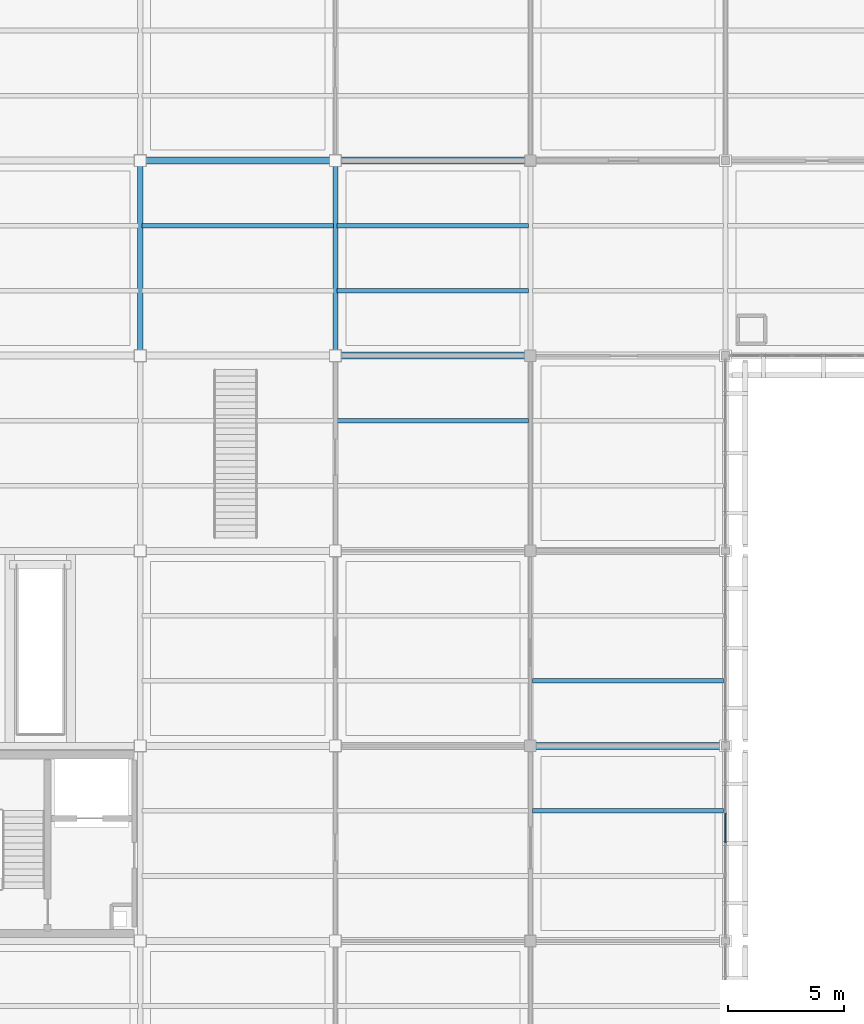
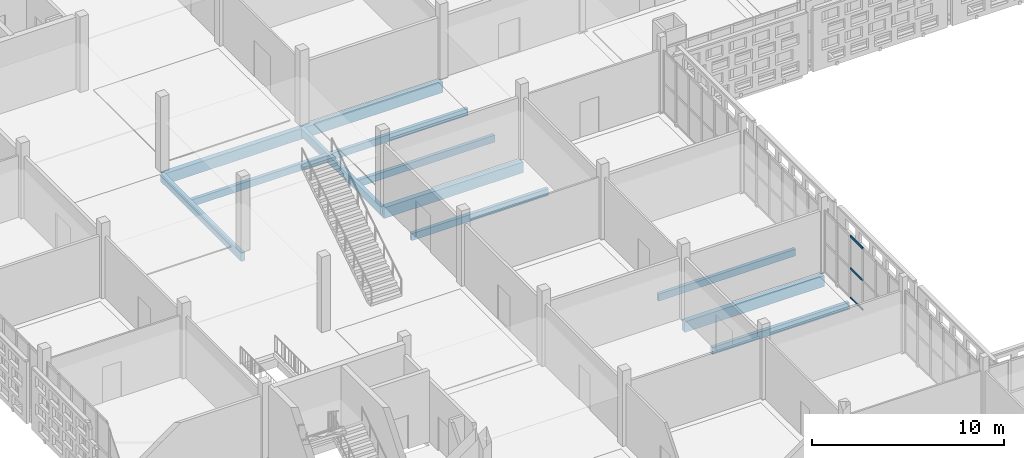
# One storey, part 41 of 203: 12 beams, 3 members, 1 element without a shape of its own.
"""IFC4 building model written with IfcOpenShell, lengths in metres."""

from ifc_helpers import new_model, si_unit, direction, frame, origin, origin_2d, place, context, subcontext, project, spatial, rectangle, extrude, material, layer, layer_set, material_profile, profile_set, type_object, element, aggregate, save


model = new_model("IFC4")

# Units and contexts
model_context = context("Model", 3, precision=1e-05, world=origin(), true_north=direction((0.0, 1.0)))
body_context = subcontext(model_context, "Body", "Model", "MODEL_VIEW")
ifc_project = project(units=[si_unit("LENGTHUNIT", "METRE"), si_unit("AREAUNIT", "SQUARE_METRE"), si_unit("VOLUMEUNIT", "CUBIC_METRE"), si_unit("PLANEANGLEUNIT", "RADIAN"), si_unit("MASSUNIT", "GRAM", prefix="KILO")], contexts=[model_context])

# Site, building, storey
site_placement = place(None, origin())
site = spatial("IfcSite", under=ifc_project, at=site_placement, CompositionType="ELEMENT")
building_placement = place(site_placement, origin())
building = spatial("IfcBuilding", under=site, at=building_placement, Name="Varnapada Polytechnic", CompositionType="ELEMENT")
storey_placement = place(building_placement, frame((0.0, 0.0, 4.800048828125)))
storey = spatial("IfcBuildingStorey", under=building, at=storey_placement, Name="L01", CompositionType="ELEMENT", Elevation=4.800048828125)

# Beams
ifc_material_1 = material(Name="Glulam GL32h", Category="wood")
ifc_material_profile_1 = material_profile(ifc_material_1, rectangle(XDim=0.199951171875, YDim=0.43994140625, at=origin_2d()), Name="GL 200x440")
ifc_profile_set_1 = profile_set([ifc_material_profile_1], Name="Glulam GL32h")
beam_type_1 = type_object("IfcBeamType", Name="Heavy laboratory glulam joist GJ-03 (GL 200x440)", PredefinedType="JOIST", material=ifc_profile_set_1)
beam_1_placement = place(storey_placement, frame((16.8798828125, 89.60009765625, -0.469970703125), z_axis=(1.0, 0.0, 0.0), x_axis=(0.0, 1.0, 0.0)))
element("IfcBeam", 1, at=beam_1_placement, inside=storey, type_object=beam_type_1, Name="L01 floor joist 3/11.2", PredefinedType="JOIST", context=body_context, shape_type="SweptSolid", body=[
    extrude(rectangle(XDim=0.199951171875, YDim=0.43994140625, at=origin_2d()), origin(), (0.0, 0.0, 1.0), 8.240234375),
])
for number, where, z_axis, x_axis, name in (
    (2, (25.280029296875, 81.199951171875, -0.469970703125), (1.0, 0.0, 0.0), (0.0, 1.0, 0.0), "L01 floor joist 4/10.2"),
    (3, (25.280029296875, 86.800048828125, -0.469970703125), (1.0, 0.0, 0.0), (0.0, 1.0, 0.0), "L01 floor joist 4/11.1"),
    (4, (25.280029296875, 89.60009765625, -0.469970703125), (1.0, 0.0, 0.0), (0.0, 1.0, 0.0), "L01 floor joist 4/11.2"),
    (5, (33.679931640625, 64.39990234375, -0.469970703125), (1.0, 0.0, 0.0), (0.0, 1.0, 0.0), "L01 floor joist 5/8.2"),
    (6, (33.679931640625, 70.0, -0.469970703125), (1.0, 0.0, 0.0), (0.0, 1.0, 0.0), "L01 floor joist 5/9.1"),
):
    element("IfcBeam", number, at=place(storey_placement, frame(where, z_axis=z_axis, x_axis=x_axis)), inside=storey, type_object=beam_type_1, Name=name, PredefinedType="JOIST", context=body_context, shape_type="SweptSolid", body=[
        extrude(rectangle(XDim=0.199951171875, YDim=0.43994140625, at=origin_2d()), origin(), (0.0, 0.0, 1.0), 8.239990234375),
    ])
ifc_material_profile_2 = material_profile(ifc_material_1, rectangle(XDim=0.219970703125, YDim=0.52001953125, at=origin_2d()), Name="GL 220x520")
ifc_profile_set_2 = profile_set([ifc_material_profile_2], Name="Glulam GL32h")
beam_type_2 = type_object("IfcBeamType", Name="Laboratory transverse glulam beam GB-12 (GL 220x520)", PredefinedType="BEAM", material=ifc_profile_set_2)
for number, where, z_axis, x_axis, name in (
    (7, (16.800048828125, 84.0, -0.510009765625), (0.0, 1.0, 0.0), (-1.0, 0.0, 0.0), "L01 beam Y 11-12 at X3"),
    (8, (25.199951171875, 84.0, -0.510009765625), (0.0, 1.0, 0.0), (-1.0, 0.0, 0.0), "L01 beam Y 11-12 at X4"),
):
    element("IfcBeam", number, at=place(storey_placement, frame(where, z_axis=z_axis, x_axis=x_axis)), inside=storey, type_object=beam_type_2, Name=name, PredefinedType="BEAM", context=body_context, shape_type="SweptSolid", body=[
        extrude(rectangle(XDim=0.219970703125, YDim=0.52001953125, at=origin_2d()), origin(), (0.0, 0.0, 1.0), 8.39990234375),
    ])

# Curtain wall, members
ifc_material_2 = material(Name="Double low-E laminated glass", Category="glass")
ifc_layer = layer(ifc_material_2, 0.159912109375)
ifc_layer_set = layer_set([ifc_layer], Name="Double low-E laminated glass")
curtain_wall_type = type_object("IfcCurtainWallType", Name="Curtain Wall CW-01", PredefinedType="NOTDEFINED", material=ifc_layer_set)
curtain_wall_placement = place(storey_placement, origin())
curtain_wall = element("IfcCurtainWall", 9, at=curtain_wall_placement, inside=storey, type_object=curtain_wall_type, Name="L01 unitised curtain wall CW-01 (38)", PredefinedType="NOTDEFINED")
ifc_material_3 = material(Name="Anodised aluminium", Category="aluminium")
ifc_material_profile_3 = material_profile(ifc_material_3, rectangle(XDim=0.06005859375, YDim=0.1201171875, at=origin_2d()), Name="ALU T60x120")
ifc_profile_set_3 = profile_set([ifc_material_profile_3], Name="Anodised aluminium")
member_type = type_object("IfcMemberType", Name="Transom T-01", PredefinedType="USERDEFINED", material=ifc_profile_set_3)
member_1_placement = place(storey_placement, frame((42.0, 64.306640625, 0.030029296875), z_axis=(0.0, -1.0, 0.0), x_axis=(1.0, 0.0, 0.0)))
member_1 = element("IfcMember", 10, at=member_1_placement, type_object=member_type, Name="CW-01 transom 3.1", ObjectType="TRANSOM", PredefinedType="USERDEFINED", context=body_context, shape_type="SweptSolid", body=[
    extrude(rectangle(XDim=0.06005859375, YDim=0.1201171875, at=origin_2d()), origin(), (0.0, 0.0, 1.0), 1.28173828125),
])
member_2_placement = place(storey_placement, frame((42.0, 64.306640625, 1.900634765625), z_axis=(0.0, -1.0, 0.0), x_axis=(1.0, 0.0, 0.0)))
member_2 = element("IfcMember", 11, at=member_2_placement, type_object=member_type, Name="CW-01 transom 3.2", ObjectType="TRANSOM", PredefinedType="USERDEFINED", context=body_context, shape_type="SweptSolid", body=[
    extrude(rectangle(XDim=0.06005859375, YDim=0.1201171875, at=origin_2d()), origin(), (0.0, 0.0, 1.0), 1.28173828125),
])
member_3_placement = place(storey_placement, frame((42.0, 64.306640625, 3.929931640625), z_axis=(0.0, -1.0, 0.0), x_axis=(1.0, 0.0, 0.0)))
member_3 = element("IfcMember", 12, at=member_3_placement, type_object=member_type, Name="CW-01 transom 3.3", ObjectType="TRANSOM", PredefinedType="USERDEFINED", context=body_context, shape_type="SweptSolid", body=[
    extrude(rectangle(XDim=0.06005859375, YDim=0.1201171875, at=origin_2d()), origin(), (0.0, 0.0, 1.0), 1.28173828125),
])
aggregate(curtain_wall, [member_1, member_2, member_3])

# Beams
ifc_material_profile_4 = material_profile(ifc_material_1, rectangle(XDim=0.300048828125, YDim=0.679931640625, at=origin_2d()), Name="GL 300x680")
ifc_profile_set_4 = profile_set([ifc_material_profile_4], Name="Glulam GL32h")
beam_type_3 = type_object("IfcBeamType", Name="Wet laboratory glulam girder GG-04 (GL 300x680)", PredefinedType="BEAM", material=ifc_profile_set_4)
beam_2_placement = place(storey_placement, frame((16.800048828125, 92.39990234375, -0.590087890625), z_axis=(1.0, 0.0, 0.0), x_axis=(0.0, 1.0, 0.0)))
element("IfcBeam", 13, at=beam_2_placement, inside=storey, type_object=beam_type_3, Name="L01 beam X 3-4 at Y12", PredefinedType="BEAM", context=body_context, shape_type="SweptSolid", body=[
    extrude(rectangle(XDim=0.300048828125, YDim=0.679931640625, at=origin_2d()), origin(), (0.0, 0.0, 1.0), 8.39990234375),
])
for number, where, z_axis, x_axis, name in (
    (14, (25.199951171875, 84.0, -0.590087890625), (1.0, 0.0, 0.0), (0.0, 1.0, 0.0), "L01 beam X 4-5 at Y11"),
    (15, (25.199951171875, 92.39990234375, -0.590087890625), (1.0, 0.0, 0.0), (0.0, 1.0, 0.0), "L01 beam X 4-5 at Y12"),
):
    element("IfcBeam", number, at=place(storey_placement, frame(where, z_axis=z_axis, x_axis=x_axis)), inside=storey, type_object=beam_type_3, Name=name, PredefinedType="BEAM", context=body_context, shape_type="SweptSolid", body=[
        extrude(rectangle(XDim=0.300048828125, YDim=0.679931640625, at=origin_2d()), origin(), (0.0, 0.0, 1.0), 8.400146484375),
    ])
beam_3_placement = place(storey_placement, frame((33.60009765625, 67.199951171875, -0.590087890625), z_axis=(1.0, 0.0, 0.0), x_axis=(0.0, 1.0, 0.0)))
element("IfcBeam", 16, at=beam_3_placement, inside=storey, type_object=beam_type_3, Name="L01 beam X 5-6 at Y9", PredefinedType="BEAM", context=body_context, shape_type="SweptSolid", body=[
    extrude(rectangle(XDim=0.300048828125, YDim=0.679931640625, at=origin_2d()), origin(), (0.0, 0.0, 1.0), 8.39990234375),
])

save(model, "model.ifc")
